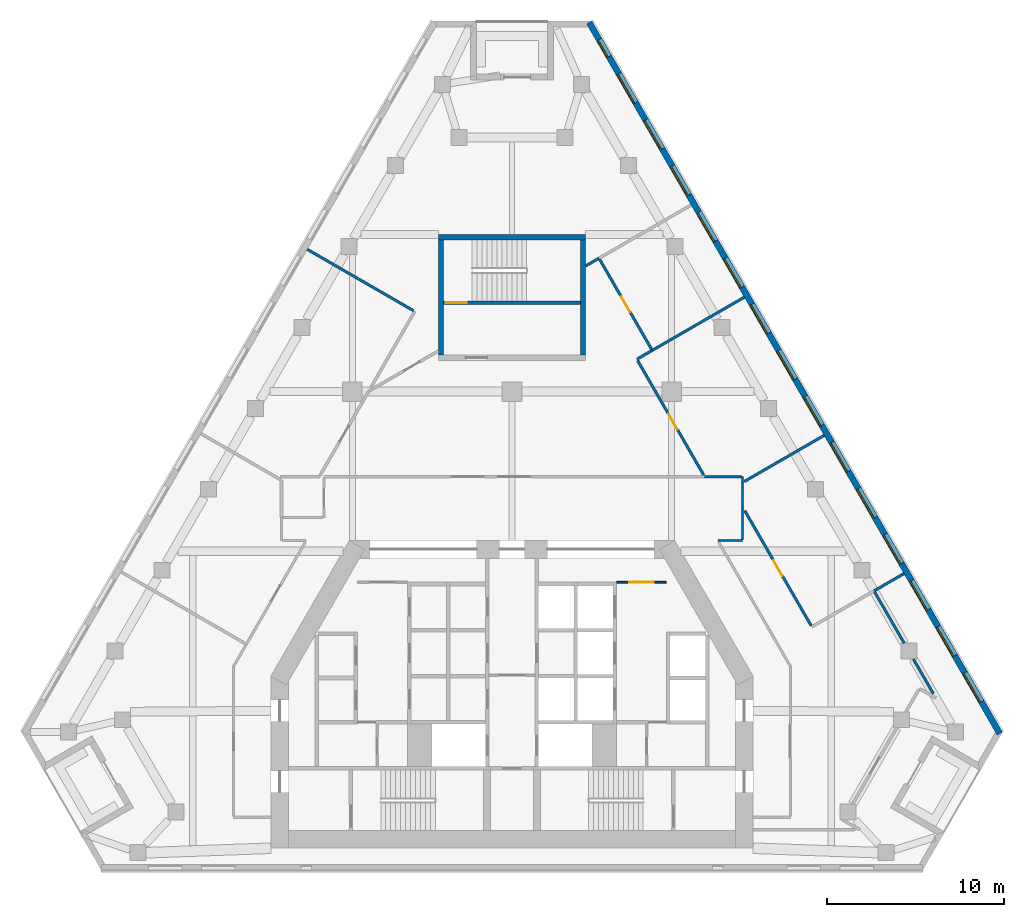
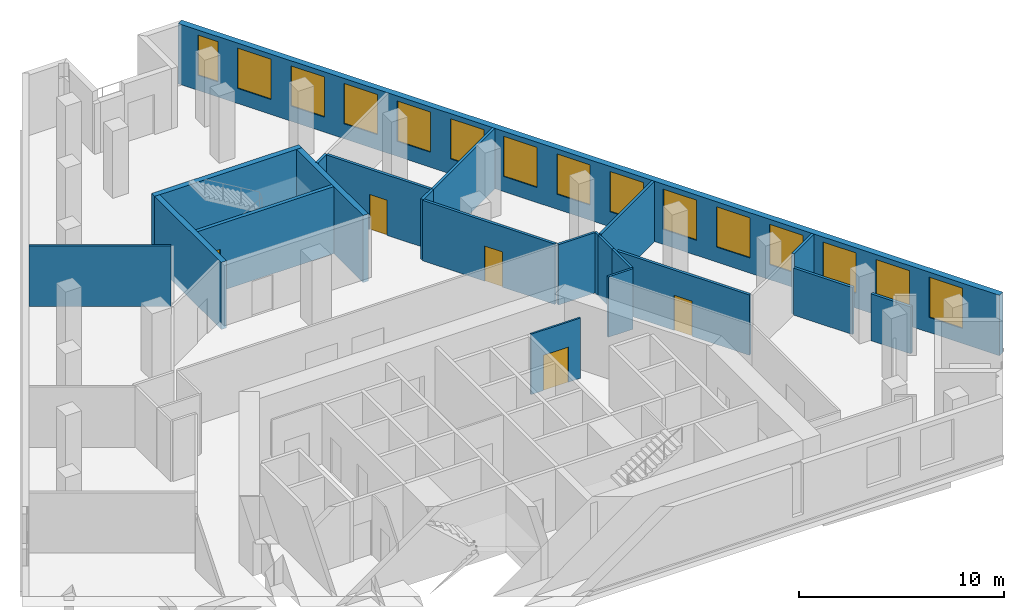
# One storey, part 7 of 9: 22 walls, 15 windows, 5 doors, 20 openings.
"""IFC4 building model written with IfcOpenShell, lengths in metres."""

from ifc_helpers import new_model, si_unit, direction, frame, frame_2d, origin, place, context, subcontext, project, spatial, rectangle, extrude, material, layer, layer_set, type_object, element, fill, save


model = new_model("IFC4")

# Units and contexts
model_context = context("Model", 3, precision=1e-05, world=origin(), true_north=direction((0.0, 1.0)))
body_context = subcontext(model_context, "Body", "Model", "MODEL_VIEW")
ifc_project = project(units=[si_unit("LENGTHUNIT", "METRE"), si_unit("AREAUNIT", "SQUARE_METRE"), si_unit("VOLUMEUNIT", "CUBIC_METRE"), si_unit("PLANEANGLEUNIT", "RADIAN"), si_unit("MASSUNIT", "GRAM", prefix="KILO")], contexts=[model_context])

# Site, building, storey
site_placement = place(None, origin())
site = spatial("IfcSite", under=ifc_project, at=site_placement, CompositionType="ELEMENT")
building_placement = place(site_placement, origin())
building = spatial("IfcBuilding", under=site, at=building_placement, Name="Fogline Exchange Tower", CompositionType="ELEMENT")
storey_placement = place(building_placement, frame((0.0, 0.0, 194.10009765625)))
storey = spatial("IfcBuildingStorey", under=building, at=storey_placement, Name="L43", CompositionType="ELEMENT", Elevation=194.10009765625)

# Wall, opening, door
ifc_material_1 = material(Name="Blockwork partition", Category="masonry")
ifc_layer_1 = layer(ifc_material_1, 0.10009765625)
ifc_layer_set_1 = layer_set([ifc_layer_1], Name="CW10")
wall_type_1 = type_object("IfcWallType", Name="CW10", PredefinedType="PARTITIONING", material=ifc_layer_set_1)
wall_1_placement = place(storey_placement, frame((5.89990234375, 16.25, 0.0), z_axis=(0.0, 0.0, 1.0), x_axis=(1.0, 0.0, 0.0)))
wall_1 = element("IfcWall", 1, at=wall_1_placement, inside=storey, type_object=wall_type_1, Name="Lift lobby partition", PredefinedType="PARTITIONING", context=body_context, shape_type="SweptSolid", body=[
    extrude(rectangle(XDim=2.800048828125, YDim=0.10009765625, at=frame_2d((1.39990234375, 0.0))), origin(), (0.0, 0.0, 1.0), 3.599853515625),
])
opening_1_placement = place(wall_1_placement, frame((0.699951171875, 0.0, 0.0)))
opening_1 = element("IfcOpeningElement", 2, at=opening_1_placement, cuts=wall_1, Name="Opening T14-C017", PredefinedType="OPENING", context=body_context, shape_type="SweptSolid", body=[
    extrude(rectangle(XDim=1.39990234375, YDim=2.10009765625, at=frame_2d((0.699951171875, 1.050048828125))), frame((0.0, 0.06005859375, 0.0), z_axis=(0.0, -1.0, 0.0), x_axis=(1.0, 0.0, 0.0)), (0.0, 0.0, 1.0), 0.1201171875),
])
ifc_material_2 = material(Name="Steel and timber fire door", Category="steel")
door_type_1 = type_object("IfcDoorType", Name="D-LB1", OperationType="DOUBLE_DOOR_SINGLE_SWING", PredefinedType="DOOR", material=ifc_material_2)
door_1_placement = place(opening_1_placement, origin())
door_1 = element("IfcDoor", 3, at=door_1_placement, inside=storey, type_object=door_type_1, Name="Door to lift lobby", OperationType="DOUBLE_DOOR_SINGLE_SWING", OverallHeight=2.10009765625, OverallWidth=1.39990234375, PredefinedType="DOOR", context=body_context, shape_type="SweptSolid", body=[
    extrude(rectangle(XDim=1.39990234375, YDim=2.10009765625, at=frame_2d((0.699951171875, 1.050048828125))), frame((0.0, 0.02490234375, 0.0), z_axis=(0.0, -1.0, 0.0), x_axis=(1.0, 0.0, 0.0)), (0.0, 0.0, 1.0), 0.050048828125),
])
fill(opening_1, door_1)

ifc_material_3 = material(Name="Concrete C40", Category="concrete")
ifc_layer_2 = layer(ifc_material_3, 0.199951171875)
ifc_layer_set_2 = layer_set([ifc_layer_2], Name="CW20R")
wall_type_2 = type_object("IfcWallType", Name="CW20R", PredefinedType="SOLIDWALL", material=ifc_layer_set_2)
wall_2_placement = place(storey_placement, frame((-3.85009765625, 32.007080078125, -0.400146484375), z_axis=(0.0, 0.0, 1.0), x_axis=(1.0, 0.0, 0.0)))
wall_2 = element("IfcWall", 4, at=wall_2_placement, inside=storey, type_object=wall_type_2, Name="Stair enclosure wall ST3", PredefinedType="SOLIDWALL", context=body_context, shape_type="SweptSolid", body=[
    extrude(rectangle(XDim=7.7001953125, YDim=0.199951171875, at=frame_2d((3.85009765625, 0.0))), origin(), (0.0, 0.0, 1.0), 4.0),
])
opening_2_placement = place(wall_2_placement, frame((0.10009765625, 0.0, 0.39990234375)))
opening_2 = element("IfcOpeningElement", 5, at=opening_2_placement, cuts=wall_2, Name="Opening T14-C028", PredefinedType="OPENING", context=body_context, shape_type="SweptSolid", body=[
    extrude(rectangle(XDim=1.199951171875, YDim=2.10009765625, at=frame_2d((0.60009765625, 1.050048828125))), frame((0.0, 0.10986328125, 0.0), z_axis=(0.0, -1.0, 0.0), x_axis=(1.0, 0.0, 0.0)), (0.0, 0.0, 1.0), 0.219970703125),
])
door_type_2 = type_object("IfcDoorType", Name="D-ST1", OperationType="SINGLE_SWING_LEFT", PredefinedType="DOOR", material=ifc_material_2)
door_2_placement = place(opening_2_placement, origin())
door_2 = element("IfcDoor", 6, at=door_2_placement, inside=storey, type_object=door_type_2, Name="Stair door ST3", OperationType="SINGLE_SWING_LEFT", OverallHeight=2.10009765625, OverallWidth=1.199951171875, PredefinedType="DOOR", context=body_context, shape_type="SweptSolid", body=[
    extrude(rectangle(XDim=1.199951171875, YDim=2.10009765625, at=frame_2d((0.60009765625, 1.050048828125))), frame((0.0, 0.02490234375, 0.0), z_axis=(0.0, -1.0, 0.0), x_axis=(1.0, 0.0, 0.0)), (0.0, 0.0, 1.0), 0.050048828125),
])
fill(opening_2, door_2)

# Walls
ifc_layer_3 = layer(ifc_material_3, 0.300048828125)
ifc_layer_set_3 = layer_set([ifc_layer_3], Name="CW30")
wall_type_3 = type_object("IfcWallType", Name="CW30", PredefinedType="SOLIDWALL", material=ifc_layer_set_3)
wall_3_placement = place(storey_placement, frame((-4.14990234375, 35.70703125, -0.400146484375), z_axis=(0.0, 0.0, 1.0), x_axis=(1.0, 0.0, 0.0)))
element("IfcWall", 7, at=wall_3_placement, inside=storey, type_object=wall_type_3, Name="Stair enclosure wall ST3", PredefinedType="SOLIDWALL", context=body_context, shape_type="SweptSolid", body=[
    extrude(rectangle(XDim=8.2998046875, YDim=0.300048828125, at=frame_2d((4.14990234375, 0.0))), origin(), (0.0, 0.0, 1.0), 4.0),
])
for number, where, z_axis, x_axis, name in (
    (8, (-4.0, 29.056884765625, -0.400146484375), (0.0, 0.0, 1.0), (0.0, 1.0, 0.0), "Stair enclosure wall ST3"),
    (9, (4.0, 29.056884765625, -0.400146484375), (0.0, 0.0, 1.0), (0.0, 1.0, 0.0), "Stair enclosure wall ST3"),
):
    element("IfcWall", number, at=place(storey_placement, frame(where, z_axis=z_axis, x_axis=x_axis)), inside=storey, type_object=wall_type_3, Name=name, PredefinedType="SOLIDWALL", context=body_context, shape_type="SweptSolid", body=[
        extrude(rectangle(XDim=6.5, YDim=0.300048828125, at=frame_2d((3.25, 0.0))), origin(), (0.0, 0.0, 1.0), 4.0),
    ])

# Wall, openings, windows
ifc_material_4 = material(Name="Brick masonry", Category="masonry")
ifc_layer_4 = layer(ifc_material_4, 0.340087890625)
ifc_layer_set_4 = layer_set([ifc_layer_4], Name="FW1")
wall_type_4 = type_object("IfcWallType", Name="FW1", PredefinedType="SOLIDWALL", material=ifc_layer_set_4)
wall_4_placement = place(storey_placement, frame((27.51171875, 7.709228515625, 0.0), z_axis=(0.0, 0.0, 1.0), x_axis=(-0.500001386688, 0.866024603178, 0.0)))
wall_4 = element("IfcWall", 10, at=wall_4_placement, inside=storey, type_object=wall_type_4, Name="Brick wall L43 E", PredefinedType="SOLIDWALL", context=body_context, shape_type="SweptSolid", body=[
    extrude(rectangle(XDim=46.317626953125, YDim=0.340087890625, at=frame_2d((23.15869140625, 0.0))), origin(), (0.0, 0.0, 1.0), 3.599853515625),
])
opening_3_placement = place(wall_4_placement, frame((2.079345703125, 0.0, 0.89990234375)))
opening_3 = element("IfcOpeningElement", 11, at=opening_3_placement, cuts=wall_4, Name="Opening W1", PredefinedType="OPENING", context=body_context, shape_type="SweptSolid", body=[
    extrude(rectangle(XDim=1.885009765625, YDim=2.39990234375, at=frame_2d((0.9423828125, 1.199951171875))), frame((0.0, 0.18017578125, 0.0), z_axis=(0.0, -1.0, 0.0), x_axis=(1.0, 0.0, 0.0)), (0.0, 0.0, 1.0), 0.360107421875),
])
opening_4_placement = place(wall_4_placement, frame((5.079345703125, 0.0, 0.89990234375)))
opening_4 = element("IfcOpeningElement", 12, at=opening_4_placement, cuts=wall_4, Name="Opening W1", PredefinedType="OPENING", context=body_context, shape_type="SweptSolid", body=[
    extrude(rectangle(XDim=1.885009765625, YDim=2.39990234375, at=frame_2d((0.9423828125, 1.199951171875))), frame((0.0, 0.18017578125, 0.0), z_axis=(0.0, -1.0, 0.0), x_axis=(1.0, 0.0, 0.0)), (0.0, 0.0, 1.0), 0.360107421875),
])
opening_5_placement = place(wall_4_placement, frame((8.079345703125, 0.0, 0.89990234375)))
opening_5 = element("IfcOpeningElement", 13, at=opening_5_placement, cuts=wall_4, Name="Opening W1", PredefinedType="OPENING", context=body_context, shape_type="SweptSolid", body=[
    extrude(rectangle(XDim=1.885009765625, YDim=2.39990234375, at=frame_2d((0.9423828125, 1.199951171875))), frame((0.0, 0.18017578125, 0.0), z_axis=(0.0, -1.0, 0.0), x_axis=(1.0, 0.0, 0.0)), (0.0, 0.0, 1.0), 0.360107421875),
])
opening_6_placement = place(wall_4_placement, frame((11.079345703125, 0.0, 0.89990234375)))
opening_6 = element("IfcOpeningElement", 14, at=opening_6_placement, cuts=wall_4, Name="Opening W1", PredefinedType="OPENING", context=body_context, shape_type="SweptSolid", body=[
    extrude(rectangle(XDim=1.885009765625, YDim=2.39990234375, at=frame_2d((0.9423828125, 1.199951171875))), frame((0.0, 0.18017578125, 0.0), z_axis=(0.0, -1.0, 0.0), x_axis=(1.0, 0.0, 0.0)), (0.0, 0.0, 1.0), 0.360107421875),
])
opening_7_placement = place(wall_4_placement, frame((14.079345703125, 0.0, 0.89990234375)))
opening_7 = element("IfcOpeningElement", 15, at=opening_7_placement, cuts=wall_4, Name="Opening W1", PredefinedType="OPENING", context=body_context, shape_type="SweptSolid", body=[
    extrude(rectangle(XDim=1.885009765625, YDim=2.39990234375, at=frame_2d((0.9423828125, 1.199951171875))), frame((0.0, 0.18017578125, 0.0), z_axis=(0.0, -1.0, 0.0), x_axis=(1.0, 0.0, 0.0)), (0.0, 0.0, 1.0), 0.360107421875),
])
opening_8_placement = place(wall_4_placement, frame((17.079345703125, 0.0, 0.89990234375)))
opening_8 = element("IfcOpeningElement", 16, at=opening_8_placement, cuts=wall_4, Name="Opening W1", PredefinedType="OPENING", context=body_context, shape_type="SweptSolid", body=[
    extrude(rectangle(XDim=1.885009765625, YDim=2.39990234375, at=frame_2d((0.9423828125, 1.199951171875))), frame((0.0, 0.18017578125, 0.0), z_axis=(0.0, -1.0, 0.0), x_axis=(1.0, 0.0, 0.0)), (0.0, 0.0, 1.0), 0.360107421875),
])
opening_9_placement = place(wall_4_placement, frame((20.079345703125, 0.0, 0.89990234375)))
opening_9 = element("IfcOpeningElement", 17, at=opening_9_placement, cuts=wall_4, Name="Opening W1", PredefinedType="OPENING", context=body_context, shape_type="SweptSolid", body=[
    extrude(rectangle(XDim=1.885009765625, YDim=2.39990234375, at=frame_2d((0.9423828125, 1.199951171875))), frame((0.0, 0.18017578125, 0.0), z_axis=(0.0, -1.0, 0.0), x_axis=(1.0, 0.0, 0.0)), (0.0, 0.0, 1.0), 0.360107421875),
])
opening_10_placement = place(wall_4_placement, frame((23.079345703125, 0.0, 0.89990234375)))
opening_10 = element("IfcOpeningElement", 18, at=opening_10_placement, cuts=wall_4, Name="Opening W1", PredefinedType="OPENING", context=body_context, shape_type="SweptSolid", body=[
    extrude(rectangle(XDim=1.885009765625, YDim=2.39990234375, at=frame_2d((0.9423828125, 1.199951171875))), frame((0.0, 0.18017578125, 0.0), z_axis=(0.0, -1.0, 0.0), x_axis=(1.0, 0.0, 0.0)), (0.0, 0.0, 1.0), 0.360107421875),
])
opening_11_placement = place(wall_4_placement, frame((26.079345703125, 0.0, 0.89990234375)))
opening_11 = element("IfcOpeningElement", 19, at=opening_11_placement, cuts=wall_4, Name="Opening W1", PredefinedType="OPENING", context=body_context, shape_type="SweptSolid", body=[
    extrude(rectangle(XDim=1.885009765625, YDim=2.39990234375, at=frame_2d((0.9423828125, 1.199951171875))), frame((0.0, 0.18017578125, 0.0), z_axis=(0.0, -1.0, 0.0), x_axis=(1.0, 0.0, 0.0)), (0.0, 0.0, 1.0), 0.360107421875),
])
opening_12_placement = place(wall_4_placement, frame((29.079345703125, 0.0, 0.89990234375)))
opening_12 = element("IfcOpeningElement", 20, at=opening_12_placement, cuts=wall_4, Name="Opening W1", PredefinedType="OPENING", context=body_context, shape_type="SweptSolid", body=[
    extrude(rectangle(XDim=1.885009765625, YDim=2.39990234375, at=frame_2d((0.9423828125, 1.199951171875))), frame((0.0, 0.18017578125, 0.0), z_axis=(0.0, -1.0, 0.0), x_axis=(1.0, 0.0, 0.0)), (0.0, 0.0, 1.0), 0.360107421875),
])
opening_13_placement = place(wall_4_placement, frame((32.079345703125, 0.0, 0.89990234375)))
opening_13 = element("IfcOpeningElement", 21, at=opening_13_placement, cuts=wall_4, Name="Opening W1", PredefinedType="OPENING", context=body_context, shape_type="SweptSolid", body=[
    extrude(rectangle(XDim=1.885009765625, YDim=2.39990234375, at=frame_2d((0.9423828125, 1.199951171875))), frame((0.0, 0.18017578125, 0.0), z_axis=(0.0, -1.0, 0.0), x_axis=(1.0, 0.0, 0.0)), (0.0, 0.0, 1.0), 0.360107421875),
])
opening_14_placement = place(wall_4_placement, frame((35.079345703125, 0.0, 0.89990234375)))
opening_14 = element("IfcOpeningElement", 22, at=opening_14_placement, cuts=wall_4, Name="Opening W1", PredefinedType="OPENING", context=body_context, shape_type="SweptSolid", body=[
    extrude(rectangle(XDim=1.885009765625, YDim=2.39990234375, at=frame_2d((0.9423828125, 1.199951171875))), frame((0.0, 0.18017578125, 0.0), z_axis=(0.0, -1.0, 0.0), x_axis=(1.0, 0.0, 0.0)), (0.0, 0.0, 1.0), 0.360107421875),
])
opening_15_placement = place(wall_4_placement, frame((38.079345703125, 0.0, 0.89990234375)))
opening_15 = element("IfcOpeningElement", 23, at=opening_15_placement, cuts=wall_4, Name="Opening W1", PredefinedType="OPENING", context=body_context, shape_type="SweptSolid", body=[
    extrude(rectangle(XDim=1.885009765625, YDim=2.39990234375, at=frame_2d((0.9423828125, 1.199951171875))), frame((0.0, 0.18017578125, 0.0), z_axis=(0.0, -1.0, 0.0), x_axis=(1.0, 0.0, 0.0)), (0.0, 0.0, 1.0), 0.360107421875),
])
opening_16_placement = place(wall_4_placement, frame((41.079345703125, 0.0, 0.89990234375)))
opening_16 = element("IfcOpeningElement", 24, at=opening_16_placement, cuts=wall_4, Name="Opening W1", PredefinedType="OPENING", context=body_context, shape_type="SweptSolid", body=[
    extrude(rectangle(XDim=1.885009765625, YDim=2.39990234375, at=frame_2d((0.9423828125, 1.199951171875))), frame((0.0, 0.18017578125, 0.0), z_axis=(0.0, -1.0, 0.0), x_axis=(1.0, 0.0, 0.0)), (0.0, 0.0, 1.0), 0.360107421875),
])
opening_17_placement = place(wall_4_placement, frame((44.083740234375, 0.0, 0.89990234375)))
opening_17 = element("IfcOpeningElement", 25, at=opening_17_placement, cuts=wall_4, Name="Opening W4", PredefinedType="OPENING", context=body_context, shape_type="SweptSolid", body=[
    extrude(rectangle(XDim=1.114990234375, YDim=2.39990234375, at=frame_2d((0.5576171875, 1.199951171875))), frame((0.0, 0.18017578125, 0.0), z_axis=(0.0, -1.0, 0.0), x_axis=(1.0, 0.0, 0.0)), (0.0, 0.0, 1.0), 0.360107421875),
])
ifc_material_5 = material(Name="Aluminium and glass", Category="aluminium")
window_type_1 = type_object("IfcWindowType", Name="W1", PartitioningType="SINGLE_PANEL", PredefinedType="WINDOW", material=ifc_material_5)
window_1_placement = place(opening_3_placement, origin())
window_1 = element("IfcWindow", 26, at=window_1_placement, inside=storey, type_object=window_type_1, Name="W1 W1", OverallHeight=2.39990234375, OverallWidth=1.885009765625, PartitioningType="SINGLE_PANEL", PredefinedType="WINDOW", context=body_context, shape_type="SweptSolid", body=[
    extrude(rectangle(XDim=1.885009765625, YDim=2.39990234375, at=frame_2d((0.9423828125, 1.199951171875))), frame((0.0, 0.110107421875, 0.0), z_axis=(0.0, -1.0, 0.0), x_axis=(1.0, 0.0, 0.0)), (0.0, 0.0, 1.0), 0.06005859375),
])
fill(opening_3, window_1)
window_2_placement = place(opening_4_placement, origin())
window_2 = element("IfcWindow", 27, at=window_2_placement, inside=storey, type_object=window_type_1, Name="W1 W1", OverallHeight=2.39990234375, OverallWidth=1.885009765625, PartitioningType="SINGLE_PANEL", PredefinedType="WINDOW", context=body_context, shape_type="SweptSolid", body=[
    extrude(rectangle(XDim=1.885009765625, YDim=2.39990234375, at=frame_2d((0.9423828125, 1.199951171875))), frame((0.0, 0.110107421875, 0.0), z_axis=(0.0, -1.0, 0.0), x_axis=(1.0, 0.0, 0.0)), (0.0, 0.0, 1.0), 0.06005859375),
])
fill(opening_4, window_2)
window_3_placement = place(opening_5_placement, origin())
window_3 = element("IfcWindow", 28, at=window_3_placement, inside=storey, type_object=window_type_1, Name="W1 W1", OverallHeight=2.39990234375, OverallWidth=1.885009765625, PartitioningType="SINGLE_PANEL", PredefinedType="WINDOW", context=body_context, shape_type="SweptSolid", body=[
    extrude(rectangle(XDim=1.885009765625, YDim=2.39990234375, at=frame_2d((0.9423828125, 1.199951171875))), frame((0.0, 0.110107421875, 0.0), z_axis=(0.0, -1.0, 0.0), x_axis=(1.0, 0.0, 0.0)), (0.0, 0.0, 1.0), 0.06005859375),
])
fill(opening_5, window_3)
window_4_placement = place(opening_6_placement, origin())
window_4 = element("IfcWindow", 29, at=window_4_placement, inside=storey, type_object=window_type_1, Name="W1 W1", OverallHeight=2.39990234375, OverallWidth=1.885009765625, PartitioningType="SINGLE_PANEL", PredefinedType="WINDOW", context=body_context, shape_type="SweptSolid", body=[
    extrude(rectangle(XDim=1.885009765625, YDim=2.39990234375, at=frame_2d((0.9423828125, 1.199951171875))), frame((0.0, 0.110107421875, 0.0), z_axis=(0.0, -1.0, 0.0), x_axis=(1.0, 0.0, 0.0)), (0.0, 0.0, 1.0), 0.06005859375),
])
fill(opening_6, window_4)
window_5_placement = place(opening_7_placement, origin())
window_5 = element("IfcWindow", 30, at=window_5_placement, inside=storey, type_object=window_type_1, Name="W1 W1", OverallHeight=2.39990234375, OverallWidth=1.885009765625, PartitioningType="SINGLE_PANEL", PredefinedType="WINDOW", context=body_context, shape_type="SweptSolid", body=[
    extrude(rectangle(XDim=1.885009765625, YDim=2.39990234375, at=frame_2d((0.9423828125, 1.199951171875))), frame((0.0, 0.110107421875, 0.0), z_axis=(0.0, -1.0, 0.0), x_axis=(1.0, 0.0, 0.0)), (0.0, 0.0, 1.0), 0.06005859375),
])
fill(opening_7, window_5)
window_6_placement = place(opening_8_placement, origin())
window_6 = element("IfcWindow", 31, at=window_6_placement, inside=storey, type_object=window_type_1, Name="W1 W1", OverallHeight=2.39990234375, OverallWidth=1.885009765625, PartitioningType="SINGLE_PANEL", PredefinedType="WINDOW", context=body_context, shape_type="SweptSolid", body=[
    extrude(rectangle(XDim=1.885009765625, YDim=2.39990234375, at=frame_2d((0.9423828125, 1.199951171875))), frame((0.0, 0.110107421875, 0.0), z_axis=(0.0, -1.0, 0.0), x_axis=(1.0, 0.0, 0.0)), (0.0, 0.0, 1.0), 0.06005859375),
])
fill(opening_8, window_6)
window_7_placement = place(opening_9_placement, origin())
window_7 = element("IfcWindow", 32, at=window_7_placement, inside=storey, type_object=window_type_1, Name="W1 W1", OverallHeight=2.39990234375, OverallWidth=1.885009765625, PartitioningType="SINGLE_PANEL", PredefinedType="WINDOW", context=body_context, shape_type="SweptSolid", body=[
    extrude(rectangle(XDim=1.885009765625, YDim=2.39990234375, at=frame_2d((0.9423828125, 1.199951171875))), frame((0.0, 0.110107421875, 0.0), z_axis=(0.0, -1.0, 0.0), x_axis=(1.0, 0.0, 0.0)), (0.0, 0.0, 1.0), 0.06005859375),
])
fill(opening_9, window_7)
window_8_placement = place(opening_10_placement, origin())
window_8 = element("IfcWindow", 33, at=window_8_placement, inside=storey, type_object=window_type_1, Name="W1 W1", OverallHeight=2.39990234375, OverallWidth=1.885009765625, PartitioningType="SINGLE_PANEL", PredefinedType="WINDOW", context=body_context, shape_type="SweptSolid", body=[
    extrude(rectangle(XDim=1.885009765625, YDim=2.39990234375, at=frame_2d((0.9423828125, 1.199951171875))), frame((0.0, 0.110107421875, 0.0), z_axis=(0.0, -1.0, 0.0), x_axis=(1.0, 0.0, 0.0)), (0.0, 0.0, 1.0), 0.06005859375),
])
fill(opening_10, window_8)
window_9_placement = place(opening_11_placement, origin())
window_9 = element("IfcWindow", 34, at=window_9_placement, inside=storey, type_object=window_type_1, Name="W1 W1", OverallHeight=2.39990234375, OverallWidth=1.885009765625, PartitioningType="SINGLE_PANEL", PredefinedType="WINDOW", context=body_context, shape_type="SweptSolid", body=[
    extrude(rectangle(XDim=1.885009765625, YDim=2.39990234375, at=frame_2d((0.9423828125, 1.199951171875))), frame((0.0, 0.110107421875, 0.0), z_axis=(0.0, -1.0, 0.0), x_axis=(1.0, 0.0, 0.0)), (0.0, 0.0, 1.0), 0.06005859375),
])
fill(opening_11, window_9)
window_10_placement = place(opening_12_placement, origin())
window_10 = element("IfcWindow", 35, at=window_10_placement, inside=storey, type_object=window_type_1, Name="W1 W1", OverallHeight=2.39990234375, OverallWidth=1.885009765625, PartitioningType="SINGLE_PANEL", PredefinedType="WINDOW", context=body_context, shape_type="SweptSolid", body=[
    extrude(rectangle(XDim=1.885009765625, YDim=2.39990234375, at=frame_2d((0.9423828125, 1.199951171875))), frame((0.0, 0.110107421875, 0.0), z_axis=(0.0, -1.0, 0.0), x_axis=(1.0, 0.0, 0.0)), (0.0, 0.0, 1.0), 0.06005859375),
])
fill(opening_12, window_10)
window_11_placement = place(opening_13_placement, origin())
window_11 = element("IfcWindow", 36, at=window_11_placement, inside=storey, type_object=window_type_1, Name="W1 W1", OverallHeight=2.39990234375, OverallWidth=1.885009765625, PartitioningType="SINGLE_PANEL", PredefinedType="WINDOW", context=body_context, shape_type="SweptSolid", body=[
    extrude(rectangle(XDim=1.885009765625, YDim=2.39990234375, at=frame_2d((0.9423828125, 1.199951171875))), frame((0.0, 0.110107421875, 0.0), z_axis=(0.0, -1.0, 0.0), x_axis=(1.0, 0.0, 0.0)), (0.0, 0.0, 1.0), 0.06005859375),
])
fill(opening_13, window_11)
window_12_placement = place(opening_14_placement, origin())
window_12 = element("IfcWindow", 37, at=window_12_placement, inside=storey, type_object=window_type_1, Name="W1 W1", OverallHeight=2.39990234375, OverallWidth=1.885009765625, PartitioningType="SINGLE_PANEL", PredefinedType="WINDOW", context=body_context, shape_type="SweptSolid", body=[
    extrude(rectangle(XDim=1.885009765625, YDim=2.39990234375, at=frame_2d((0.9423828125, 1.199951171875))), frame((0.0, 0.110107421875, 0.0), z_axis=(0.0, -1.0, 0.0), x_axis=(1.0, 0.0, 0.0)), (0.0, 0.0, 1.0), 0.06005859375),
])
fill(opening_14, window_12)
window_13_placement = place(opening_15_placement, origin())
window_13 = element("IfcWindow", 38, at=window_13_placement, inside=storey, type_object=window_type_1, Name="W1 W1", OverallHeight=2.39990234375, OverallWidth=1.885009765625, PartitioningType="SINGLE_PANEL", PredefinedType="WINDOW", context=body_context, shape_type="SweptSolid", body=[
    extrude(rectangle(XDim=1.885009765625, YDim=2.39990234375, at=frame_2d((0.9423828125, 1.199951171875))), frame((0.0, 0.110107421875, 0.0), z_axis=(0.0, -1.0, 0.0), x_axis=(1.0, 0.0, 0.0)), (0.0, 0.0, 1.0), 0.06005859375),
])
fill(opening_15, window_13)
window_14_placement = place(opening_16_placement, origin())
window_14 = element("IfcWindow", 39, at=window_14_placement, inside=storey, type_object=window_type_1, Name="W1 W1", OverallHeight=2.39990234375, OverallWidth=1.885009765625, PartitioningType="SINGLE_PANEL", PredefinedType="WINDOW", context=body_context, shape_type="SweptSolid", body=[
    extrude(rectangle(XDim=1.885009765625, YDim=2.39990234375, at=frame_2d((0.9423828125, 1.199951171875))), frame((0.0, 0.110107421875, 0.0), z_axis=(0.0, -1.0, 0.0), x_axis=(1.0, 0.0, 0.0)), (0.0, 0.0, 1.0), 0.06005859375),
])
fill(opening_16, window_14)
window_type_2 = type_object("IfcWindowType", Name="W4", PartitioningType="SINGLE_PANEL", PredefinedType="WINDOW", material=ifc_material_5)
window_15_placement = place(opening_17_placement, origin())
window_15 = element("IfcWindow", 40, at=window_15_placement, inside=storey, type_object=window_type_2, Name="W4 W4", OverallHeight=2.39990234375, OverallWidth=1.114990234375, PartitioningType="SINGLE_PANEL", PredefinedType="WINDOW", context=body_context, shape_type="SweptSolid", body=[
    extrude(rectangle(XDim=1.114990234375, YDim=2.39990234375, at=frame_2d((0.5576171875, 1.199951171875))), frame((0.0, 0.110107421875, 0.0), z_axis=(0.0, -1.0, 0.0), x_axis=(1.0, 0.0, 0.0)), (0.0, 0.0, 1.0), 0.06005859375),
])
fill(opening_17, window_15)

# Walls
ifc_material_6 = material(Name="Plasterboard corridor partition with mineral wool, 2 layers each side")
ifc_layer_5 = layer(ifc_material_6, 0.125)
ifc_layer_set_5 = layer_set([ifc_layer_5], Name="PW2")
wall_type_5 = type_object("IfcWallType", Name="PW2", PredefinedType="PARTITIONING", material=ifc_layer_set_5)
wall_5_placement = place(storey_placement, frame((13.0, 21.872802734375, 0.0), z_axis=(0.0, 0.0, 1.0), x_axis=(0.0, -1.0, 0.0)))
element("IfcWall", 41, at=wall_5_placement, inside=storey, type_object=wall_type_5, Name="wall-L43-W004", PredefinedType="PARTITIONING", context=body_context, shape_type="SweptSolid", body=[
    extrude(rectangle(XDim=1.36865234375, YDim=0.125, at=frame_2d((0.684326171875, 0.0))), origin(), (0.0, 0.0, 1.0), 3.599853515625),
])
wall_6_placement = place(storey_placement, frame((10.8662109375, 22.199951171875, 0.0), z_axis=(0.0, 0.0, 1.0), x_axis=(1.0, 0.0, 0.0)))
element("IfcWall", 42, at=wall_6_placement, inside=storey, type_object=wall_type_5, Name="wall-L43-W005", PredefinedType="PARTITIONING", context=body_context, shape_type="SweptSolid", body=[
    extrude(rectangle(XDim=2.0712890625, YDim=0.125, at=frame_2d((1.03564453125, 0.0))), origin(), (0.0, 0.0, 1.0), 3.599853515625),
])
wall_7_placement = place(storey_placement, frame((13.0, 22.199951171875, 0.0), z_axis=(0.0, 0.0, 1.0), x_axis=(0.0, -1.0, 0.0)))
element("IfcWall", 43, at=wall_7_placement, inside=storey, type_object=wall_type_5, Name="wall-L43-W006", PredefinedType="PARTITIONING", context=body_context, shape_type="SweptSolid", body=[
    extrude(rectangle(XDim=0.3271484375, YDim=0.125, at=frame_2d((0.16357421875, 0.0))), origin(), (0.0, 0.0, 1.0), 3.599853515625),
])
wall_8_placement = place(storey_placement, frame((13.0, 20.504150390625, 0.0), z_axis=(0.0, 0.0, 1.0), x_axis=(0.0, -1.0, 0.0)))
element("IfcWall", 44, at=wall_8_placement, inside=storey, type_object=wall_type_5, Name="wall-L43-W012", PredefinedType="PARTITIONING", context=body_context, shape_type="SweptSolid", body=[
    extrude(rectangle(XDim=1.841552734375, YDim=0.125, at=frame_2d((0.9208984375, 0.0))), origin(), (0.0, 0.0, 1.0), 3.599853515625),
])
wall_9_placement = place(storey_placement, frame((13.0, 18.60009765625, 0.0), z_axis=(0.0, 0.0, 1.0), x_axis=(-1.0, 0.0, 0.0)))
element("IfcWall", 45, at=wall_9_placement, inside=storey, type_object=wall_type_5, Name="wall-L43-W013", PredefinedType="PARTITIONING", context=body_context, shape_type="SweptSolid", body=[
    extrude(rectangle(XDim=1.39453125, YDim=0.125, at=frame_2d((0.697265625, 0.0))), origin(), (0.0, 0.0, 1.0), 3.599853515625),
])
ifc_material_7 = material(Name="Plasterboard demising partition with mineral wool and acoustic board")
ifc_layer_6 = layer(ifc_material_7, 0.14990234375)
ifc_layer_set_6 = layer_set([ifc_layer_6], Name="PW3")
wall_type_6 = type_object("IfcWallType", Name="PW3", PredefinedType="PARTITIONING", material=ifc_layer_set_6)
wall_10_placement = place(storey_placement, frame((13.100341796875, 21.930908203125, 0.0), z_axis=(0.0, 0.0, 1.0), x_axis=(0.866029992723, 0.499992051641, 0.0)))
element("IfcWall", 46, at=wall_10_placement, inside=storey, type_object=wall_type_6, Name="wall-L43-W018", PredefinedType="PARTITIONING", context=body_context, shape_type="SweptSolid", body=[
    extrude(rectangle(XDim=5.19970703125, YDim=0.14990234375, at=frame_2d((2.599853515625, 0.0))), origin(), (0.0, 0.0, 1.0), 3.599853515625),
])
wall_11_placement = place(storey_placement, frame((22.103515625, 16.736572265625, 0.0), z_axis=(0.0, 0.0, 1.0), x_axis=(-0.866000020948, -0.500043961785, 0.0)))
element("IfcWall", 47, at=wall_11_placement, inside=storey, type_object=wall_type_6, Name="wall-L43-W019", PredefinedType="PARTITIONING", context=body_context, shape_type="SweptSolid", body=[
    extrude(rectangle(XDim=1.949951171875, YDim=0.14990234375, at=frame_2d((0.97509765625, 0.0))), origin(), (0.0, 0.0, 1.0), 3.599853515625),
])

# Wall, opening, door
wall_12_placement = place(storey_placement, frame((16.869873046875, 13.801513671875, 0.0), z_axis=(0.0, 0.0, 1.0), x_axis=(-0.499998231264, 0.866026424962, 0.0)))
wall_12 = element("IfcWall", 48, at=wall_12_placement, inside=storey, type_object=wall_type_6, Name="wall-L43-W021", PredefinedType="PARTITIONING", context=body_context, shape_type="SweptSolid", body=[
    extrude(rectangle(XDim=7.484375, YDim=0.14990234375, at=frame_2d((3.7421875, 0.0))), origin(), (0.0, 0.0, 1.0), 3.599853515625),
])
opening_18_placement = place(wall_12_placement, frame((3.2421875, 0.0, 0.0)))
opening_18 = element("IfcOpeningElement", 49, at=opening_18_placement, cuts=wall_12, Name="Opening T14-D007", PredefinedType="OPENING", context=body_context, shape_type="SweptSolid", body=[
    extrude(rectangle(XDim=1.0, YDim=2.10009765625, at=frame_2d((0.5, 1.050048828125))), frame((0.0, 0.0849609375, 0.0), z_axis=(0.0, -1.0, 0.0), x_axis=(1.0, 0.0, 0.0)), (0.0, 0.0, 1.0), 0.169921875),
])
ifc_material_8 = material(Name="Fire-rated timber door leaf with steel frame", Category="steel")
door_type_3 = type_object("IfcDoorType", Name="D3", OperationType="SINGLE_SWING_LEFT", PredefinedType="DOOR", material=ifc_material_8)
door_3_placement = place(opening_18_placement, frame((1.0, 0.0, 0.0), z_axis=(0.0, 0.0, 1.0), x_axis=(-1.0, 0.0, 0.0)))
door_3 = element("IfcDoor", 50, at=door_3_placement, inside=storey, type_object=door_type_3, Name="door-L43-D007", OperationType="SINGLE_SWING_RIGHT", OverallHeight=2.10009765625, OverallWidth=1.0, PredefinedType="DOOR", context=body_context, shape_type="SweptSolid", body=[
    extrude(rectangle(XDim=1.0, YDim=2.10009765625, at=frame_2d((0.5, 1.050048828125))), frame((0.0, 0.02490234375, 0.0), z_axis=(0.0, -1.0, 0.0), x_axis=(1.0, 0.0, 0.0)), (0.0, 0.0, 1.0), 0.050048828125),
])
fill(opening_18, door_3)

# Wall
wall_13_placement = place(storey_placement, frame((7.9072265625, 29.324951171875, 0.0), z_axis=(0.0, 0.0, 1.0), x_axis=(0.866031096941, 0.499990139034, 0.0)))
element("IfcWall", 51, at=wall_13_placement, inside=storey, type_object=wall_type_6, Name="wall-L43-W022", PredefinedType="PARTITIONING", context=body_context, shape_type="SweptSolid", body=[
    extrude(rectangle(XDim=6.0, YDim=0.14990234375, at=frame_2d((3.0, 0.0))), origin(), (0.0, 0.0, 1.0), 3.599853515625),
])

# Wall, opening, door
wall_14_placement = place(storey_placement, frame((10.80810546875, 22.30029296875, 0.0), z_axis=(0.0, 0.0, 1.0), x_axis=(-0.499972731866, 0.866041146477, 0.0)))
wall_14 = element("IfcWall", 52, at=wall_14_placement, inside=storey, type_object=wall_type_6, Name="wall-L43-W023", PredefinedType="PARTITIONING", context=body_context, shape_type="SweptSolid", body=[
    extrude(rectangle(XDim=7.458984375, YDim=0.14990234375, at=frame_2d((3.7294921875, 0.0))), origin(), (0.0, 0.0, 1.0), 3.599853515625),
])
opening_19_placement = place(wall_14_placement, frame((2.95849609375, 0.0, 0.0)))
opening_19 = element("IfcOpeningElement", 53, at=opening_19_placement, cuts=wall_14, Name="Opening T14-D008", PredefinedType="OPENING", context=body_context, shape_type="SweptSolid", body=[
    extrude(rectangle(XDim=1.0, YDim=2.10009765625, at=frame_2d((0.5, 1.050048828125))), frame((0.0, 0.0849609375, 0.0), z_axis=(0.0, -1.0, 0.0), x_axis=(1.0, 0.0, 0.0)), (0.0, 0.0, 1.0), 0.169921875),
])
door_4_placement = place(opening_19_placement, frame((1.0, 0.0, 0.0), z_axis=(0.0, 0.0, 1.0), x_axis=(-1.0, 0.0, 0.0)))
door_4 = element("IfcDoor", 54, at=door_4_placement, inside=storey, type_object=door_type_3, Name="door-L43-D008", OperationType="SINGLE_SWING_RIGHT", OverallHeight=2.10009765625, OverallWidth=1.0, PredefinedType="DOOR", context=body_context, shape_type="SweptSolid", body=[
    extrude(rectangle(XDim=1.0, YDim=2.10009765625, at=frame_2d((0.5, 1.050048828125))), frame((0.0, 0.02490234375, 0.0), z_axis=(0.0, -1.0, 0.0), x_axis=(1.0, 0.0, 0.0)), (0.0, 0.0, 1.0), 0.050048828125),
])
fill(opening_19, door_4)

# Wall
wall_15_placement = place(storey_placement, frame((7.041259765625, 28.824951171875, 0.0), z_axis=(0.0, 0.0, 1.0), x_axis=(0.866010750942, 0.50002537861, 0.0)))
element("IfcWall", 55, at=wall_15_placement, inside=storey, type_object=wall_type_6, Name="wall-L43-W024", PredefinedType="PARTITIONING", context=body_context, shape_type="SweptSolid", body=[
    extrude(rectangle(XDim=1.0, YDim=0.14990234375, at=frame_2d((0.5, 0.0))), origin(), (0.0, 0.0, 1.0), 3.599853515625),
])

# Wall, opening, door
wall_16_placement = place(storey_placement, frame((7.869873046875, 29.389892578125, 0.0), z_axis=(0.0, 0.0, 1.0), x_axis=(-0.500012662943, 0.866018092707, 0.0)))
wall_16 = element("IfcWall", 56, at=wall_16_placement, inside=storey, type_object=wall_type_6, Name="wall-L43-W025", PredefinedType="PARTITIONING", context=body_context, shape_type="SweptSolid", body=[
    extrude(rectangle(XDim=5.849853515625, YDim=0.14990234375, at=frame_2d((2.9248046875, 0.0))), origin(), (0.0, 0.0, 1.0), 3.599853515625),
])
opening_20_placement = place(wall_16_placement, frame((2.425048828125, 0.0, 0.0)))
opening_20 = element("IfcOpeningElement", 57, at=opening_20_placement, cuts=wall_16, Name="Opening T14-D009", PredefinedType="OPENING", context=body_context, shape_type="SweptSolid", body=[
    extrude(rectangle(XDim=1.0, YDim=2.10009765625, at=frame_2d((0.5, 1.050048828125))), frame((0.0, 0.0849609375, 0.0), z_axis=(0.0, -1.0, 0.0), x_axis=(1.0, 0.0, 0.0)), (0.0, 0.0, 1.0), 0.169921875),
])
door_5_placement = place(opening_20_placement, frame((1.0, 0.0, 0.0), z_axis=(0.0, 0.0, 1.0), x_axis=(-1.0, 0.0, 0.0)))
door_5 = element("IfcDoor", 58, at=door_5_placement, inside=storey, type_object=door_type_3, Name="door-L43-D009", OperationType="SINGLE_SWING_RIGHT", OverallHeight=2.10009765625, OverallWidth=1.0, PredefinedType="DOOR", context=body_context, shape_type="SweptSolid", body=[
    extrude(rectangle(XDim=1.0, YDim=2.10009765625, at=frame_2d((0.5, 1.050048828125))), frame((0.0, 0.02490234375, 0.0), z_axis=(0.0, -1.0, 0.0), x_axis=(1.0, 0.0, 0.0)), (0.0, 0.0, 1.0), 0.050048828125),
])
fill(opening_20, door_5)

# Walls
wall_17_placement = place(storey_placement, frame((4.14990234375, 34.083984375, 0.0), z_axis=(0.0, 0.0, 1.0), x_axis=(0.866139097356, 0.499803025231, 0.0)))
element("IfcWall", 59, at=wall_17_placement, inside=storey, type_object=wall_type_6, Name="wall-L43-W027", PredefinedType="PARTITIONING", context=body_context, shape_type="SweptSolid", body=[
    extrude(rectangle(XDim=0.874267578125, YDim=0.14990234375, at=frame_2d((0.43701171875, 0.0))), origin(), (0.0, 0.0, 1.0), 3.599853515625),
])
wall_18_placement = place(storey_placement, frame((-5.548828125, 31.56005859375, 0.0), z_axis=(0.0, 0.0, 1.0), x_axis=(-0.866010626124, 0.500025594786, 0.0)))
element("IfcWall", 60, at=wall_18_placement, inside=storey, type_object=wall_type_6, Name="wall-L43-W031", PredefinedType="PARTITIONING", context=body_context, shape_type="SweptSolid", body=[
    extrude(rectangle(XDim=6.925048828125, YDim=0.14990234375, at=frame_2d((3.46240234375, 0.0))), origin(), (0.0, 0.0, 1.0), 3.599853515625),
])
wall_19_placement = place(storey_placement, frame((23.76220703125, 9.96337890625, 0.0), z_axis=(0.0, 0.0, 1.0), x_axis=(-0.499957405522, 0.866049994321, 0.0)))
element("IfcWall", 61, at=wall_19_placement, inside=storey, type_object=wall_type_6, Name="wall-L43-W041", PredefinedType="PARTITIONING", context=body_context, shape_type="SweptSolid", body=[
    extrude(rectangle(XDim=2.248779296875, YDim=0.14990234375, at=frame_2d((1.12451171875, 0.0))), origin(), (0.0, 0.0, 1.0), 2.7998046875),
])
wall_20_placement = place(storey_placement, frame((22.118408203125, 12.810791015625, 0.0), z_axis=(0.0, 0.0, 1.0), x_axis=(-0.500039553057, 0.866002566612, 0.0)))
element("IfcWall", 62, at=wall_20_placement, inside=storey, type_object=wall_type_6, Name="wall-L43-W042", PredefinedType="PARTITIONING", context=body_context, shape_type="SweptSolid", body=[
    extrude(rectangle(XDim=3.332275390625, YDim=0.14990234375, at=frame_2d((1.666015625, 0.0))), origin(), (0.0, 0.0, 1.0), 2.7998046875),
])

save(model, "model.ifc")
